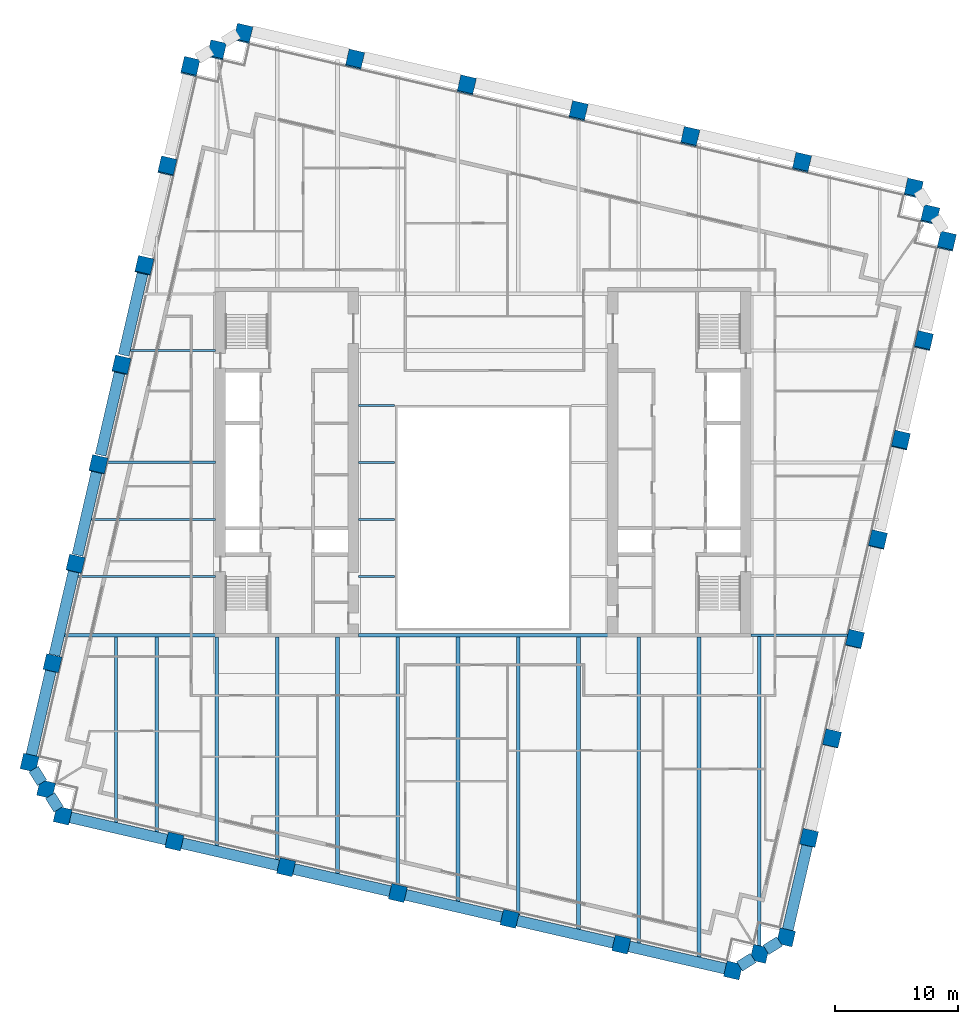
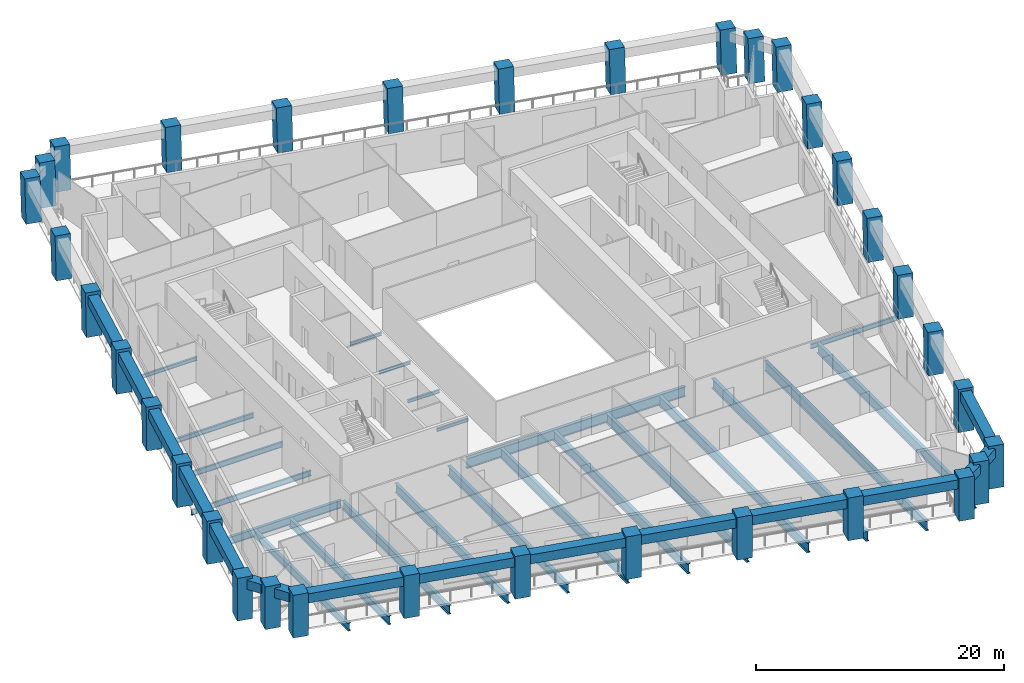
# One storey, part 1 of 12: 39 beams, 34 columns.
"""IFC4 building model written with IfcOpenShell, lengths in metres."""

from ifc_helpers import new_model, si_unit, direction, frame, origin, origin_2d, place, context, subcontext, project, spatial, rectangle, i_section, extrude, material, material_profile, profile_set, type_object, element, save


model = new_model("IFC4")

# Units and contexts
model_context = context("Model", 3, precision=1e-05, world=origin(), true_north=direction((0.0, 1.0)))
body_context = subcontext(model_context, "Body", "Model", "MODEL_VIEW")
ifc_project = project(units=[si_unit("LENGTHUNIT", "METRE"), si_unit("AREAUNIT", "SQUARE_METRE"), si_unit("VOLUMEUNIT", "CUBIC_METRE"), si_unit("PLANEANGLEUNIT", "RADIAN"), si_unit("MASSUNIT", "GRAM", prefix="KILO")], contexts=[model_context])

# Site, building, storey
site_placement = place(None, origin())
site = spatial("IfcSite", under=ifc_project, at=site_placement, CompositionType="ELEMENT")
building_placement = place(site_placement, origin())
building = spatial("IfcBuilding", under=site, at=building_placement, Name="Ogive Exchange Tower", CompositionType="ELEMENT")
storey_placement = place(building_placement, frame((0.0, 0.0, 139.199951171875)))
storey = spatial("IfcBuildingStorey", under=building, at=storey_placement, Name="L30", CompositionType="ELEMENT", Elevation=139.199951171875)

# Columns
ifc_material_1 = material(Name="Precast concrete C70/85 (limestone faced)", Category="masonry")
ifc_material_profile_1 = material_profile(ifc_material_1, rectangle(XDim=1.300048828125, YDim=1.300048828125, at=origin_2d()), Name="1300 x 1300")
ifc_profile_set_1 = profile_set([ifc_material_profile_1], Name="Precast concrete C70/85 (limestone faced)")
column_type = type_object("IfcColumnType", Name="Precast exoskeleton leg 1300 x 1300 C70/85", PredefinedType="COLUMN", material=ifc_profile_set_1)
for number, where, z_axis, x_axis, name in (
    (1, (-34.281982421875, -17.298095703125, 0.0), (0.0, 0.0, 1.0), (0.974370064785, -0.224951054344, 0.0), "Exoskeleton leg 1"),
    (2, (-25.171630859375, -19.401611328125, 0.0), (0.0, 0.0, 1.0), (0.974370064785, -0.224951054344, 0.0), "Exoskeleton leg 2"),
    (3, (-16.061279296875, -21.504638671875, 0.0), (0.0, 0.0, 1.0), (0.974370064785, -0.224951054344, 0.0), "Exoskeleton leg 3"),
    (4, (-6.950927734375, -23.60791015625, 0.0), (0.0, 0.0, 1.0), (0.974370064785, -0.224951054344, 0.0), "Exoskeleton leg 4"),
    (5, (2.159423828125, -25.711181640625, 0.0), (0.0, 0.0, 1.0), (0.974370064785, -0.224951054344, 0.0), "Exoskeleton leg 5"),
    (6, (11.269775390625, -27.814697265625, 0.0), (0.0, 0.0, 1.0), (0.974370064785, -0.224951054344, 0.0), "Exoskeleton leg 6"),
    (7, (20.380126953125, -29.91796875, 0.0), (0.0, 0.0, 1.0), (0.974370064785, -0.224951054344, 0.0), "Exoskeleton leg 7"),
    (8, (24.697509765625, -27.219970703125, 0.0), (0.0, 0.0, 1.0), (0.974370064785, -0.224951054344, 0.0), "Exoskeleton leg 8"),
):
    element("IfcColumn", number, at=place(storey_placement, frame(where, z_axis=z_axis, x_axis=x_axis)), inside=storey, type_object=column_type, Name=name, PredefinedType="COLUMN", context=body_context, shape_type="SweptSolid", body=[
        extrude(rectangle(XDim=1.300048828125, YDim=1.300048828125, at=origin_2d()), origin(), (0.0, 0.0, 1.0), 4.199951171875),
    ])
column_1_placement = place(storey_placement, frame((26.568115234375, -19.118896484375, 0.0), z_axis=(0.002848100182, 0.012671139583, 0.999915661717), x_axis=(-0.975657656042, 0.219299197918, 0.0)))
element("IfcColumn", 9, at=column_1_placement, inside=storey, type_object=column_type, Name="Exoskeleton leg 9", PredefinedType="COLUMN", context=body_context, shape_type="SweptSolid", body=[
    extrude(rectangle(XDim=1.300048828125, YDim=1.300048828125, at=origin_2d()), origin(), (0.0, 0.0, 1.0), 4.2001953125),
])
column_2_placement = place(storey_placement, frame((28.438232421875, -11.017578125, 0.0), z_axis=(0.005869091843, 0.025277771797, 0.999663237302), x_axis=(-0.974088391429, 0.226167649504, 0.0)))
element("IfcColumn", 10, at=column_2_placement, inside=storey, type_object=column_type, Name="Exoskeleton leg 10", PredefinedType="COLUMN", context=body_context, shape_type="SweptSolid", body=[
    extrude(rectangle(XDim=1.300048828125, YDim=1.300048828125, at=origin_2d()), origin(), (0.0, 0.0, 1.0), 4.201416015625),
])
column_3_placement = place(storey_placement, frame((30.30859375, -2.91650390625, 0.0), z_axis=(0.008770884695, 0.037929719907, 0.99924191662), x_axis=(-0.974290512438, 0.225295355862, 0.0)))
element("IfcColumn", 11, at=column_3_placement, inside=storey, type_object=column_type, Name="Exoskeleton leg 11", PredefinedType="COLUMN", context=body_context, shape_type="SweptSolid", body=[
    extrude(rectangle(XDim=1.300048828125, YDim=1.300048828125, at=origin_2d()), origin(), (0.0, 0.0, 1.0), 4.203125),
])
column_4_placement = place(storey_placement, frame((32.178955078125, 5.184814453125, 0.0), z_axis=(0.011668267153, 0.050562490995, 0.998652735462), x_axis=(-0.974391195695, 0.224859506699, 0.0)))
element("IfcColumn", 12, at=column_4_placement, inside=storey, type_object=column_type, Name="Exoskeleton leg 12", PredefinedType="COLUMN", context=body_context, shape_type="SweptSolid", body=[
    extrude(rectangle(XDim=1.300048828125, YDim=1.300048828125, at=origin_2d()), origin(), (0.0, 0.0, 1.0), 4.20556640625),
])
column_5_placement = place(storey_placement, frame((34.04931640625, 13.285888671875, 0.0), z_axis=(0.014559788571, 0.063169759976, 0.997896584813), x_axis=(-0.97445148511, 0.224598092528, 0.0)))
element("IfcColumn", 13, at=column_5_placement, inside=storey, type_object=column_type, Name="Exoskeleton leg 13", PredefinedType="COLUMN", context=body_context, shape_type="SweptSolid", body=[
    extrude(rectangle(XDim=1.300048828125, YDim=1.300048828125, at=origin_2d()), origin(), (0.0, 0.0, 1.0), 4.208740234375),
])
column_6_placement = place(storey_placement, frame((35.91943359375, 21.38720703125, 0.0), z_axis=(0.017502025619, 0.075687567741, 0.996977969259), x_axis=(-0.974290512438, 0.225295355862, 0.0)))
element("IfcColumn", 14, at=column_6_placement, inside=storey, type_object=column_type, Name="Exoskeleton leg 14", PredefinedType="COLUMN", context=body_context, shape_type="SweptSolid", body=[
    extrude(rectangle(XDim=1.300048828125, YDim=1.300048828125, at=origin_2d()), origin(), (0.0, 0.0, 1.0), 4.212646484375),
])
for number, where, z_axis, x_axis, name in (
    (15, (37.789794921875, 29.48828125, 0.0), (0.020377493232, 0.0882252832, 0.995892091129), (-0.97434807649, 0.225046274885, 0.0), "Exoskeleton leg 15"),
    (16, (35.091796875, 33.805908203125, 0.0), (0.020377493232, 0.0882252832, 0.995892091129), (-0.97434807649, 0.225046274885, 0.0), "Exoskeleton leg 16"),
    (17, (25.9814453125, 35.9091796875, 0.0), (0.020377493232, 0.0882252832, 0.995892091129), (-0.97434807649, 0.225046274885, 0.0), "Exoskeleton leg 17"),
    (18, (16.87109375, 38.012451171875, 0.0), (0.020377493232, 0.0882252832, 0.995892091129), (-0.97434807649, 0.225046274885, 0.0), "Exoskeleton leg 18"),
    (19, (7.7607421875, 40.11572265625, 0.0), (0.020377493232, 0.0882252832, 0.995892091129), (-0.97434807649, 0.225046274885, 0.0), "Exoskeleton leg 19"),
    (20, (-1.349609375, 42.218994140625, 0.0), (0.020377493232, 0.0882252832, 0.995892091129), (-0.97434807649, 0.225046274885, 0.0), "Exoskeleton leg 20"),
    (21, (-10.4599609375, 44.322509765625, 0.0), (0.020377597275, 0.088167842757, 0.995897175934), (-0.97431566651, 0.225186549318, 0.0), "Exoskeleton leg 21"),
    (22, (-19.5703125, 46.425537109375, 0.0), (0.020377493232, 0.0882252832, 0.995892091129), (-0.97434807649, 0.225046274885, 0.0), "Exoskeleton leg 22"),
    (23, (-23.8876953125, 43.727783203125, 0.0), (0.020319626563, 0.088225387128, 0.995893264282), (-0.974488096918, 0.224439187676, 0.0), "Exoskeleton leg 23"),
):
    element("IfcColumn", number, at=place(storey_placement, frame(where, z_axis=z_axis, x_axis=x_axis)), inside=storey, type_object=column_type, Name=name, PredefinedType="COLUMN", context=body_context, shape_type="SweptSolid", body=[
        extrude(rectangle(XDim=1.300048828125, YDim=1.300048828125, at=origin_2d()), origin(), (0.0, 0.0, 1.0), 4.21728515625),
    ])
column_7_placement = place(storey_placement, frame((-25.758056640625, 35.62646484375, 0.0), z_axis=(0.017444089556, 0.075687644385, 0.996978978829), x_axis=(-0.974454034257, 0.224587032398, 0.0)))
element("IfcColumn", 24, at=column_7_placement, inside=storey, type_object=column_type, Name="Exoskeleton leg 24", PredefinedType="COLUMN", context=body_context, shape_type="SweptSolid", body=[
    extrude(rectangle(XDim=1.300048828125, YDim=1.300048828125, at=origin_2d()), origin(), (0.0, 0.0, 1.0), 4.212646484375),
])
column_8_placement = place(storey_placement, frame((-27.62841796875, 27.525390625, 0.0), z_axis=(0.014559841898, 0.063111984005, 0.997900239743), x_axis=(-0.97440628778, 0.224794097641, 0.0)))
element("IfcColumn", 25, at=column_8_placement, inside=storey, type_object=column_type, Name="Exoskeleton leg 25", PredefinedType="COLUMN", context=body_context, shape_type="SweptSolid", body=[
    extrude(rectangle(XDim=1.300048828125, YDim=1.300048828125, at=origin_2d()), origin(), (0.0, 0.0, 1.0), 4.208740234375),
])
column_9_placement = place(storey_placement, frame((-29.498779296875, 19.42431640625, 0.0), z_axis=(0.011668301382, 0.050504588071, 0.998655665045), x_axis=(-0.974334539389, 0.225104876342, 0.0)))
element("IfcColumn", 26, at=column_9_placement, inside=storey, type_object=column_type, Name="Exoskeleton leg 26", PredefinedType="COLUMN", context=body_context, shape_type="SweptSolid", body=[
    extrude(rectangle(XDim=1.300048828125, YDim=1.300048828125, at=origin_2d()), origin(), (0.0, 0.0, 1.0), 4.20556640625),
])
column_10_placement = place(storey_placement, frame((-31.369140625, 11.322998046875, 0.0), z_axis=(0.008770884695, 0.037929719907, 0.99924191662), x_axis=(-0.974290512438, 0.225295355862, 0.0)))
element("IfcColumn", 27, at=column_10_placement, inside=storey, type_object=column_type, Name="Exoskeleton leg 27", PredefinedType="COLUMN", context=body_context, shape_type="SweptSolid", body=[
    extrude(rectangle(XDim=1.300048828125, YDim=1.300048828125, at=origin_2d()), origin(), (0.0, 0.0, 1.0), 4.203125),
])
column_11_placement = place(storey_placement, frame((-33.239501953125, 3.2216796875, 0.0), z_axis=(0.005869083212, 0.025335844359, 0.999661767226), x_axis=(-0.974202561131, 0.225675363932, 0.0)))
element("IfcColumn", 28, at=column_11_placement, inside=storey, type_object=column_type, Name="Exoskeleton leg 28", PredefinedType="COLUMN", context=body_context, shape_type="SweptSolid", body=[
    extrude(rectangle(XDim=1.300048828125, YDim=1.300048828125, at=origin_2d()), origin(), (0.0, 0.0, 1.0), 4.201416015625),
])
column_12_placement = place(storey_placement, frame((-35.109619140625, -4.87939453125, 0.0), z_axis=(0.002906226325, 0.012613022249, 0.99991622925), x_axis=(-0.974466825284, 0.224531526563, 0.0)))
element("IfcColumn", 29, at=column_12_placement, inside=storey, type_object=column_type, Name="Exoskeleton leg 29", PredefinedType="COLUMN", context=body_context, shape_type="SweptSolid", body=[
    extrude(rectangle(XDim=1.300048828125, YDim=1.300048828125, at=origin_2d()), origin(), (0.0, 0.0, 1.0), 4.2001953125),
])
for number, where, z_axis, x_axis, name in (
    (30, (-36.97998046875, -12.980712890625, 0.0), (0.0, 0.0, 1.0), (0.974370064785, -0.224951054344, 0.0), "Exoskeleton leg 30"),
    (31, (22.538818359375, -28.569091796875, 0.0), (0.0, 0.0, 1.0), (0.974370064785, -0.224951054344, 0.0), "Exoskeleton leg 31"),
):
    element("IfcColumn", number, at=place(storey_placement, frame(where, z_axis=z_axis, x_axis=x_axis)), inside=storey, type_object=column_type, Name=name, PredefinedType="COLUMN", context=body_context, shape_type="SweptSolid", body=[
        extrude(rectangle(XDim=1.300048828125, YDim=1.300048828125, at=origin_2d()), origin(), (0.0, 0.0, 1.0), 4.199951171875),
    ])
for number, where, z_axis, x_axis, name in (
    (32, (36.44091796875, 31.647216796875, 0.0), (0.020319730311, 0.088167946619, 0.995898349105), (-0.97445585692, 0.224579123952, 0.0), "Exoskeleton leg 32"),
    (33, (-21.72900390625, 45.07666015625, 0.0), (0.020319626563, 0.088225387128, 0.995893264282), (-0.974488096918, 0.224439187676, 0.0), "Exoskeleton leg 33"),
):
    element("IfcColumn", number, at=place(storey_placement, frame(where, z_axis=z_axis, x_axis=x_axis)), inside=storey, type_object=column_type, Name=name, PredefinedType="COLUMN", context=body_context, shape_type="SweptSolid", body=[
        extrude(rectangle(XDim=1.300048828125, YDim=1.300048828125, at=origin_2d()), origin(), (0.0, 0.0, 1.0), 4.21728515625),
    ])
column_13_placement = place(storey_placement, frame((-35.631103515625, -15.139404296875, 0.0), z_axis=(0.0, 0.0, 1.0), x_axis=(0.974370064785, -0.224951054344, 0.0)))
element("IfcColumn", 34, at=column_13_placement, inside=storey, type_object=column_type, Name="Exoskeleton leg 34", PredefinedType="COLUMN", context=body_context, shape_type="SweptSolid", body=[
    extrude(rectangle(XDim=1.300048828125, YDim=1.300048828125, at=origin_2d()), origin(), (0.0, 0.0, 1.0), 4.199951171875),
])

# Beams
ifc_material_2 = material(Name="Steel ASTM A992 Gr50", Category="steel")
ifc_material_profile_2 = material_profile(ifc_material_2, i_section(OverallWidth=0.300048828125, OverallDepth=0.97998046875, WebThickness=0.0166015625, FlangeThickness=0.026123046875, at=origin_2d()), Name="W1000x249")
ifc_profile_set_2 = profile_set([ifc_material_profile_2], Name="Steel ASTM A992 Gr50")
beam_type_1 = type_object("IfcBeamType", Name="Floor beam W1000x249", PredefinedType="JOIST", material=ifc_profile_set_2)
beam_1_placement = place(storey_placement, frame((-6.964111328125, -23.143310546875, -0.68994140625), z_axis=(0.0, 1.0, 0.0), x_axis=(-1.0, 0.0, 0.0)))
element("IfcBeam", 35, at=beam_1_placement, inside=storey, type_object=beam_type_1, Name="Floor beam", PredefinedType="JOIST", context=body_context, shape_type="SweptSolid", body=[
    extrude(i_section(OverallWidth=0.300048828125, OverallDepth=0.97998046875, WebThickness=0.0166015625, FlangeThickness=0.026123046875, at=origin_2d()), origin(), (0.0, 0.0, 1.0), 20.398193359375),
])
beam_2_placement = place(storey_placement, frame((-2.051513671875, -24.427490234375, -0.68994140625), z_axis=(0.0, 1.0, 0.0), x_axis=(-1.0, 0.0, 0.0)))
element("IfcBeam", 36, at=beam_2_placement, inside=storey, type_object=beam_type_1, Name="Floor beam", PredefinedType="JOIST", context=body_context, shape_type="SweptSolid", body=[
    extrude(i_section(OverallWidth=0.300048828125, OverallDepth=0.97998046875, WebThickness=0.0166015625, FlangeThickness=0.026123046875, at=origin_2d()), origin(), (0.0, 0.0, 1.0), 21.682373046875),
])
beam_3_placement = place(storey_placement, frame((2.861328125, -25.41162109375, -0.68994140625), z_axis=(0.0, 1.0, 0.0), x_axis=(-1.0, 0.0, 0.0)))
element("IfcBeam", 37, at=beam_3_placement, inside=storey, type_object=beam_type_1, Name="Floor beam", PredefinedType="JOIST", context=body_context, shape_type="SweptSolid", body=[
    extrude(i_section(OverallWidth=0.300048828125, OverallDepth=0.97998046875, WebThickness=0.0166015625, FlangeThickness=0.026123046875, at=origin_2d()), origin(), (0.0, 0.0, 1.0), 22.66650390625),
])
beam_4_placement = place(storey_placement, frame((7.77392578125, -26.69580078125, -0.68994140625), z_axis=(0.0, 1.0, 0.0), x_axis=(-1.0, 0.0, 0.0)))
element("IfcBeam", 38, at=beam_4_placement, inside=storey, type_object=beam_type_1, Name="Floor beam", PredefinedType="JOIST", context=body_context, shape_type="SweptSolid", body=[
    extrude(i_section(OverallWidth=0.300048828125, OverallDepth=0.97998046875, WebThickness=0.0166015625, FlangeThickness=0.026123046875, at=origin_2d()), origin(), (0.0, 0.0, 1.0), 23.95068359375),
])
beam_5_placement = place(storey_placement, frame((12.6865234375, -27.679931640625, -0.68994140625), z_axis=(0.0, 1.0, 0.0), x_axis=(-1.0, 0.0, 0.0)))
element("IfcBeam", 39, at=beam_5_placement, inside=storey, type_object=beam_type_1, Name="Floor beam", PredefinedType="JOIST", context=body_context, shape_type="SweptSolid", body=[
    extrude(i_section(OverallWidth=0.300048828125, OverallDepth=0.97998046875, WebThickness=0.0166015625, FlangeThickness=0.026123046875, at=origin_2d()), origin(), (0.0, 0.0, 1.0), 24.929931640625),
])
beam_6_placement = place(storey_placement, frame((17.599365234375, -28.814208984375, -0.68994140625), z_axis=(0.0, 1.0, 0.0), x_axis=(-1.0, 0.0, 0.0)))
element("IfcBeam", 40, at=beam_6_placement, inside=storey, type_object=beam_type_1, Name="Floor beam", PredefinedType="JOIST", context=body_context, shape_type="SweptSolid", body=[
    extrude(i_section(OverallWidth=0.300048828125, OverallDepth=0.97998046875, WebThickness=0.0166015625, FlangeThickness=0.026123046875, at=origin_2d()), origin(), (0.0, 0.0, 1.0), 26.064208984375),
])
beam_7_placement = place(storey_placement, frame((22.511962890625, -28.045654296875, -0.68994140625), z_axis=(0.0, 1.0, 0.0), x_axis=(-1.0, 0.0, 0.0)))
element("IfcBeam", 41, at=beam_7_placement, inside=storey, type_object=beam_type_1, Name="Floor beam", PredefinedType="JOIST", context=body_context, shape_type="SweptSolid", body=[
    extrude(i_section(OverallWidth=0.300048828125, OverallDepth=0.97998046875, WebThickness=0.0166015625, FlangeThickness=0.026123046875, at=origin_2d()), origin(), (0.0, 0.0, 1.0), 25.355224609375),
])
ifc_material_profile_3 = material_profile(ifc_material_2, i_section(OverallWidth=0.1650390625, OverallDepth=0.31005859375, WebThickness=0.005859375, FlangeThickness=0.009765625, at=origin_2d()), Name="W310x38.7")
ifc_profile_set_3 = profile_set([ifc_material_profile_3], Name="Steel ASTM A992 Gr50")
beam_type_2 = type_object("IfcBeamType", Name="Floor beam W310x38.7", PredefinedType="JOIST", material=ifc_profile_set_3)
for number, where, z_axis, x_axis, name in (
    (42, (-10.169921875, 2.208740234375, -0.35498046875), (1.0, 0.0, 0.0), (0.0, 1.0, 0.0), "Floor beam"),
    (43, (-10.169921875, 6.857421875, -0.35498046875), (1.0, 0.0, 0.0), (0.0, 1.0, 0.0), "Floor beam"),
    (44, (-10.169921875, 11.50634765625, -0.35498046875), (1.0, 0.0, 0.0), (0.0, 1.0, 0.0), "Floor beam"),
):
    element("IfcBeam", number, at=place(storey_placement, frame(where, z_axis=z_axis, x_axis=x_axis)), inside=storey, type_object=beam_type_2, Name=name, PredefinedType="JOIST", context=body_context, shape_type="SweptSolid", body=[
        extrude(i_section(OverallWidth=0.1650390625, OverallDepth=0.31005859375, WebThickness=0.005859375, FlangeThickness=0.009765625, at=origin_2d()), origin(), (0.0, 0.0, 1.0), 2.949951171875),
    ])
ifc_material_profile_4 = material_profile(ifc_material_2, i_section(OverallWidth=0.1708984375, OverallDepth=0.35595703125, WebThickness=0.00732421875, FlangeThickness=0.01171875, at=origin_2d()), Name="W360x51")
ifc_profile_set_4 = profile_set([ifc_material_profile_4], Name="Steel ASTM A992 Gr50")
beam_type_3 = type_object("IfcBeamType", Name="Floor beam W360x51", PredefinedType="JOIST", material=ifc_profile_set_4)
beam_8_placement = place(storey_placement, frame((-28.76025390625, 20.62255859375, -0.3779296875), z_axis=(1.0, 0.0, 0.0), x_axis=(0.0, 1.0, 0.0)))
element("IfcBeam", 45, at=beam_8_placement, inside=storey, type_object=beam_type_3, Name="Floor beam", PredefinedType="JOIST", context=body_context, shape_type="SweptSolid", body=[
    extrude(i_section(OverallWidth=0.1708984375, OverallDepth=0.35595703125, WebThickness=0.00732421875, FlangeThickness=0.01171875, at=origin_2d()), origin(), (0.0, 0.0, 1.0), 6.93017578125),
])
ifc_material_profile_5 = material_profile(ifc_material_2, i_section(OverallWidth=0.19091796875, OverallDepth=0.45703125, WebThickness=0.009033203125, FlangeThickness=0.014404296875, at=origin_2d()), Name="W460x74")
ifc_profile_set_5 = profile_set([ifc_material_profile_5], Name="Steel ASTM A992 Gr50")
beam_type_4 = type_object("IfcBeamType", Name="Floor beam W460x74", PredefinedType="JOIST", material=ifc_profile_set_5)
beam_9_placement = place(storey_placement, frame((-30.864990234375, 11.50634765625, -0.428466796875), z_axis=(1.0, 0.0, 0.0), x_axis=(0.0, 1.0, 0.0)))
element("IfcBeam", 46, at=beam_9_placement, inside=storey, type_object=beam_type_4, Name="Floor beam", PredefinedType="JOIST", context=body_context, shape_type="SweptSolid", body=[
    extrude(i_section(OverallWidth=0.19091796875, OverallDepth=0.45703125, WebThickness=0.009033203125, FlangeThickness=0.014404296875, at=origin_2d()), origin(), (0.0, 0.0, 1.0), 9.034912109375),
])
ifc_material_profile_6 = material_profile(ifc_material_2, i_section(OverallWidth=0.1669921875, OverallDepth=0.535888671875, WebThickness=0.01025390625, FlangeThickness=0.0166015625, at=origin_2d()), Name="W530x85")
ifc_profile_set_6 = profile_set([ifc_material_profile_6], Name="Steel ASTM A992 Gr50")
beam_type_5 = type_object("IfcBeamType", Name="Floor beam W530x85", PredefinedType="JOIST", material=ifc_profile_set_6)
beam_10_placement = place(storey_placement, frame((-33.011474609375, 2.208740234375, -0.468017578125), z_axis=(1.0, 0.0, 0.0), x_axis=(0.0, 1.0, 0.0)))
element("IfcBeam", 47, at=beam_10_placement, inside=storey, type_object=beam_type_5, Name="Floor beam", PredefinedType="JOIST", context=body_context, shape_type="SweptSolid", body=[
    extrude(i_section(OverallWidth=0.1669921875, OverallDepth=0.535888671875, WebThickness=0.01025390625, FlangeThickness=0.0166015625, at=origin_2d()), origin(), (0.0, 0.0, 1.0), 11.181396484375),
])
beam_11_placement = place(storey_placement, frame((-31.938232421875, 6.857421875, -0.468017578125), z_axis=(1.0, 0.0, 0.0), x_axis=(0.0, 1.0, 0.0)))
element("IfcBeam", 48, at=beam_11_placement, inside=storey, type_object=beam_type_5, Name="Floor beam", PredefinedType="JOIST", context=body_context, shape_type="SweptSolid", body=[
    extrude(i_section(OverallWidth=0.1669921875, OverallDepth=0.535888671875, WebThickness=0.01025390625, FlangeThickness=0.0166015625, at=origin_2d()), origin(), (0.0, 0.0, 1.0), 10.108154296875),
])
ifc_material_profile_7 = material_profile(ifc_material_2, i_section(OverallWidth=0.26708984375, OverallDepth=0.75390625, WebThickness=0.01318359375, FlangeThickness=0.01708984375, at=origin_2d()), Name="W760x147")
ifc_profile_set_7 = profile_set([ifc_material_profile_7], Name="Steel ASTM A992 Gr50")
beam_type_6 = type_object("IfcBeamType", Name="Floor beam W760x147", PredefinedType="JOIST", material=ifc_profile_set_7)
beam_12_placement = place(storey_placement, frame((-29.927490234375, -17.99169921875, -0.576904296875), z_axis=(0.0, 1.0, 0.0), x_axis=(-1.0, 0.0, 0.0)))
element("IfcBeam", 49, at=beam_12_placement, inside=storey, type_object=beam_type_6, Name="Floor beam", PredefinedType="JOIST", context=body_context, shape_type="SweptSolid", body=[
    extrude(i_section(OverallWidth=0.26708984375, OverallDepth=0.75390625, WebThickness=0.01318359375, FlangeThickness=0.01708984375, at=origin_2d()), origin(), (0.0, 0.0, 1.0), 15.26318359375),
])
ifc_material_profile_8 = material_profile(ifc_material_2, i_section(OverallWidth=0.2919921875, OverallDepth=0.8359375, WebThickness=0.013916015625, FlangeThickness=0.018798828125, at=origin_2d()), Name="W840x176")
ifc_profile_set_8 = profile_set([ifc_material_profile_8], Name="Steel ASTM A992 Gr50")
beam_type_7 = type_object("IfcBeamType", Name="Floor beam W840x176", PredefinedType="JOIST", material=ifc_profile_set_8)
beam_13_placement = place(storey_placement, frame((-26.614990234375, -18.75634765625, -0.617919921875), z_axis=(0.0, 1.0, 0.0), x_axis=(-1.0, 0.0, 0.0)))
element("IfcBeam", 50, at=beam_13_placement, inside=storey, type_object=beam_type_7, Name="Floor beam", PredefinedType="JOIST", context=body_context, shape_type="SweptSolid", body=[
    extrude(i_section(OverallWidth=0.2919921875, OverallDepth=0.8359375, WebThickness=0.013916015625, FlangeThickness=0.018798828125, at=origin_2d()), origin(), (0.0, 0.0, 1.0), 16.02783203125),
])
beam_14_placement = place(storey_placement, frame((-21.7021484375, -19.890625, -0.617919921875), z_axis=(0.0, 1.0, 0.0), x_axis=(-1.0, 0.0, 0.0)))
element("IfcBeam", 51, at=beam_14_placement, inside=storey, type_object=beam_type_7, Name="Floor beam", PredefinedType="JOIST", context=body_context, shape_type="SweptSolid", body=[
    extrude(i_section(OverallWidth=0.2919921875, OverallDepth=0.8359375, WebThickness=0.013916015625, FlangeThickness=0.018798828125, at=origin_2d()), origin(), (0.0, 0.0, 1.0), 17.140625),
])
ifc_material_profile_9 = material_profile(ifc_material_2, i_section(OverallWidth=0.304931640625, OverallDepth=0.904052734375, WebThickness=0.01513671875, FlangeThickness=0.02001953125, at=origin_2d()), Name="W920x201")
ifc_profile_set_9 = profile_set([ifc_material_profile_9], Name="Steel ASTM A992 Gr50")
beam_type_8 = type_object("IfcBeamType", Name="Floor beam W920x201", PredefinedType="JOIST", material=ifc_profile_set_9)
beam_15_placement = place(storey_placement, frame((-16.78955078125, -20.874755859375, -0.65185546875), z_axis=(0.0, 1.0, 0.0), x_axis=(-1.0, 0.0, 0.0)))
element("IfcBeam", 52, at=beam_15_placement, inside=storey, type_object=beam_type_8, Name="Floor beam", PredefinedType="JOIST", context=body_context, shape_type="SweptSolid", body=[
    extrude(i_section(OverallWidth=0.304931640625, OverallDepth=0.904052734375, WebThickness=0.01513671875, FlangeThickness=0.02001953125, at=origin_2d()), origin(), (0.0, 0.0, 1.0), 18.124755859375),
])
ifc_material_profile_10 = material_profile(ifc_material_2, i_section(OverallWidth=0.304931640625, OverallDepth=0.9189453125, WebThickness=0.017333984375, FlangeThickness=0.02783203125, at=origin_2d()), Name="W920x253")
ifc_profile_set_10 = profile_set([ifc_material_profile_10], Name="Steel ASTM A992 Gr50")
beam_type_9 = type_object("IfcBeamType", Name="Floor beam W920x253", PredefinedType="JOIST", material=ifc_profile_set_10)
beam_16_placement = place(storey_placement, frame((-11.876708984375, -22.009033203125, -0.659423828125), z_axis=(0.0, 1.0, 0.0), x_axis=(-1.0, 0.0, 0.0)))
element("IfcBeam", 53, at=beam_16_placement, inside=storey, type_object=beam_type_9, Name="Floor beam", PredefinedType="JOIST", context=body_context, shape_type="SweptSolid", body=[
    extrude(i_section(OverallWidth=0.304931640625, OverallDepth=0.9189453125, WebThickness=0.017333984375, FlangeThickness=0.02783203125, at=origin_2d()), origin(), (0.0, 0.0, 1.0), 19.259033203125),
])
ifc_material_profile_11 = material_profile(ifc_material_2, i_section(OverallWidth=0.300048828125, OverallDepth=0.97998046875, WebThickness=0.0166015625, FlangeThickness=0.026123046875, at=origin_2d()), Name="W1000x249")
ifc_profile_set_11 = profile_set([ifc_material_profile_11], Name="Steel ASTM A992 Gr50")
beam_type_10 = type_object("IfcBeamType", Name="Girder W1000x249", PredefinedType="BEAM", material=ifc_profile_set_11)
beam_17_placement = place(storey_placement, frame((-10.169921875, -2.594970703125, -0.68994140625), z_axis=(1.0, 0.0, 0.0), x_axis=(0.0, 1.0, 0.0)))
element("IfcBeam", 54, at=beam_17_placement, inside=storey, type_object=beam_type_10, Name="Header girder", PredefinedType="BEAM", context=body_context, shape_type="SweptSolid", body=[
    extrude(i_section(OverallWidth=0.300048828125, OverallDepth=0.97998046875, WebThickness=0.0166015625, FlangeThickness=0.026123046875, at=origin_2d()), origin(), (0.0, 0.0, 1.0), 20.33984375),
])
ifc_material_profile_12 = material_profile(ifc_material_2, i_section(OverallWidth=0.1650390625, OverallDepth=0.31005859375, WebThickness=0.005859375, FlangeThickness=0.009765625, at=origin_2d()), Name="W310x38.7")
ifc_profile_set_12 = profile_set([ifc_material_profile_12], Name="Steel ASTM A992 Gr50")
beam_type_11 = type_object("IfcBeamType", Name="Girder W310x38.7", PredefinedType="BEAM", material=ifc_profile_set_12)
beam_18_placement = place(storey_placement, frame((-10.169921875, 16.155029296875, -0.35498046875), z_axis=(1.0, 0.0, 0.0), x_axis=(0.0, 1.0, 0.0)))
element("IfcBeam", 55, at=beam_18_placement, inside=storey, type_object=beam_type_11, Name="Trimmer girder", PredefinedType="BEAM", context=body_context, shape_type="SweptSolid", body=[
    extrude(i_section(OverallWidth=0.1650390625, OverallDepth=0.31005859375, WebThickness=0.005859375, FlangeThickness=0.009765625, at=origin_2d()), origin(), (0.0, 0.0, 1.0), 2.949951171875),
])
ifc_material_profile_13 = material_profile(ifc_material_2, i_section(OverallWidth=0.19091796875, OverallDepth=0.45703125, WebThickness=0.009033203125, FlangeThickness=0.014404296875, at=origin_2d()), Name="W460x74")
ifc_profile_set_13 = profile_set([ifc_material_profile_13], Name="Steel ASTM A992 Gr50")
beam_type_12 = type_object("IfcBeamType", Name="Girder W460x74", PredefinedType="BEAM", material=ifc_profile_set_13)
beam_19_placement = place(storey_placement, frame((21.830078125, -2.594970703125, -0.428466796875), z_axis=(1.0, 0.0, 0.0), x_axis=(0.0, 1.0, 0.0)))
element("IfcBeam", 56, at=beam_19_placement, inside=storey, type_object=beam_type_12, Name="Header girder", PredefinedType="BEAM", context=body_context, shape_type="SweptSolid", body=[
    extrude(i_section(OverallWidth=0.19091796875, OverallDepth=0.45703125, WebThickness=0.009033203125, FlangeThickness=0.014404296875, at=origin_2d()), origin(), (0.0, 0.0, 1.0), 8.0908203125),
])
ifc_material_profile_14 = material_profile(ifc_material_2, i_section(OverallWidth=0.26708984375, OverallDepth=0.75390625, WebThickness=0.01318359375, FlangeThickness=0.01708984375, at=origin_2d()), Name="W760x147")
ifc_profile_set_14 = profile_set([ifc_material_profile_14], Name="Steel ASTM A992 Gr50")
beam_type_13 = type_object("IfcBeamType", Name="Girder W760x147", PredefinedType="BEAM", material=ifc_profile_set_14)
beam_20_placement = place(storey_placement, frame((-34.2705078125, -2.594970703125, -0.576904296875), z_axis=(1.0, 0.0, 0.0), x_axis=(0.0, 1.0, 0.0)))
element("IfcBeam", 57, at=beam_20_placement, inside=storey, type_object=beam_type_13, Name="Header girder", PredefinedType="BEAM", context=body_context, shape_type="SweptSolid", body=[
    extrude(i_section(OverallWidth=0.26708984375, OverallDepth=0.75390625, WebThickness=0.01318359375, FlangeThickness=0.01708984375, at=origin_2d()), origin(), (0.0, 0.0, 1.0), 12.4404296875),
])
ifc_material_profile_15 = material_profile(ifc_material_1, rectangle(XDim=0.89990234375, YDim=0.89990234375, at=origin_2d()), Name="900 x 900")
ifc_profile_set_15 = profile_set([ifc_material_profile_15], Name="Precast concrete C70/85 (limestone faced)")
beam_type_14 = type_object("IfcBeamType", Name="Precast spandrel 900 x 900 C70/85", PredefinedType="SPANDREL", material=ifc_profile_set_15)
for number, where, z_axis, x_axis, name in (
    (58, (-33.668212890625, -17.43994140625, 3.5), (0.974370337884, -0.224949871421, 0.0), (0.224949871421, 0.974370337884, 0.0), "Spandrel 1"),
    (59, (-24.557861328125, -19.543212890625, 3.5), (0.974370337884, -0.224949871421, 0.0), (0.224949871421, 0.974370337884, 0.0), "Spandrel 2"),
):
    element("IfcBeam", number, at=place(storey_placement, frame(where, z_axis=z_axis, x_axis=x_axis)), inside=storey, type_object=beam_type_14, Name=name, PredefinedType="SPANDREL", context=body_context, shape_type="SweptSolid", body=[
        extrude(rectangle(XDim=0.89990234375, YDim=0.89990234375, at=origin_2d()), origin(), (0.0, 0.0, 1.0), 8.08984375),
    ])
beam_21_placement = place(storey_placement, frame((-15.447509765625, -21.646484375, 3.5), z_axis=(0.974371864918, -0.224943256972, 0.0), x_axis=(0.224943256972, 0.974371864918, 0.0)))
element("IfcBeam", 60, at=beam_21_placement, inside=storey, type_object=beam_type_14, Name="Spandrel 3", PredefinedType="SPANDREL", context=body_context, shape_type="SweptSolid", body=[
    extrude(rectangle(XDim=0.89990234375, YDim=0.89990234375, at=origin_2d()), origin(), (0.0, 0.0, 1.0), 8.090087890625),
])
beam_22_placement = place(storey_placement, frame((-6.337158203125, -23.749755859375, 3.5), z_axis=(0.974370337884, -0.224949871421, 0.0), x_axis=(0.224949871421, 0.974370337884, 0.0)))
element("IfcBeam", 61, at=beam_22_placement, inside=storey, type_object=beam_type_14, Name="Spandrel 4", PredefinedType="SPANDREL", context=body_context, shape_type="SweptSolid", body=[
    extrude(rectangle(XDim=0.89990234375, YDim=0.89990234375, at=origin_2d()), origin(), (0.0, 0.0, 1.0), 8.08984375),
])
beam_23_placement = place(storey_placement, frame((2.773193359375, -25.85302734375, 3.5), z_axis=(0.974371864918, -0.224943256972, 0.0), x_axis=(0.224943256972, 0.974371864918, 0.0)))
element("IfcBeam", 62, at=beam_23_placement, inside=storey, type_object=beam_type_14, Name="Spandrel 5", PredefinedType="SPANDREL", context=body_context, shape_type="SweptSolid", body=[
    extrude(rectangle(XDim=0.89990234375, YDim=0.89990234375, at=origin_2d()), origin(), (0.0, 0.0, 1.0), 8.090087890625),
])
beam_24_placement = place(storey_placement, frame((11.883544921875, -27.956298828125, 3.5), z_axis=(0.974370337884, -0.224949871421, 0.0), x_axis=(0.224949871421, 0.974370337884, 0.0)))
element("IfcBeam", 63, at=beam_24_placement, inside=storey, type_object=beam_type_14, Name="Spandrel 6", PredefinedType="SPANDREL", context=body_context, shape_type="SweptSolid", body=[
    extrude(rectangle(XDim=0.89990234375, YDim=0.89990234375, at=origin_2d()), origin(), (0.0, 0.0, 1.0), 8.08984375),
])
for number, where, z_axis, x_axis, name in (
    (64, (20.9052734375, -29.58984375, 3.5), (0.848040277303, 0.529931776808, 0.0), (-0.529931776808, 0.848040277303, 0.0), "Spandrel 7"),
    (65, (23.06396484375, -28.24072265625, 3.5), (0.848092721491, 0.529847842077, 0.0), (-0.529847842077, 0.848092721491, 0.0), "Spandrel 8"),
):
    element("IfcBeam", number, at=place(storey_placement, frame(where, z_axis=z_axis, x_axis=x_axis)), inside=storey, type_object=beam_type_14, Name=name, PredefinedType="SPANDREL", context=body_context, shape_type="SweptSolid", body=[
        extrude(rectangle(XDim=0.89990234375, YDim=0.89990234375, at=origin_2d()), origin(), (0.0, 0.0, 1.0), 1.30712890625),
    ])
for number, where, z_axis, x_axis, name in (
    (66, (24.83935546875, -26.606201171875, 3.5), (0.224944783816, 0.97437151243, 0.0), (-0.97437151243, 0.224944783816, 0.0), "Spandrel 9"),
    (67, (-27.708740234375, 27.17724609375, 3.5), (-0.224944783816, -0.97437151243, 0.0), (0.97437151243, -0.224944783816, 0.0), "Spandrel 28"),
    (68, (-29.59130859375, 19.02294921875, 3.5), (-0.224944783816, -0.97437151243, 0.0), (0.97437151243, -0.224944783816, 0.0), "Spandrel 29"),
    (69, (-31.47412109375, 10.86865234375, 3.5), (-0.224912178469, -0.974379039171, 0.0), (0.974379039171, -0.224912178469, 0.0), "Spandrel 30"),
    (70, (-33.3564453125, 2.714111328125, 3.5), (-0.224984916855, -0.974362246389, 0.0), (0.974362246389, -0.224984916855, 0.0), "Spandrel 31"),
    (71, (-35.239013671875, -5.440185546875, 3.5), (-0.224984916855, -0.974362246389, 0.0), (0.974362246389, -0.224984916855, 0.0), "Spandrel 32"),
):
    element("IfcBeam", number, at=place(storey_placement, frame(where, z_axis=z_axis, x_axis=x_axis)), inside=storey, type_object=beam_type_14, Name=name, PredefinedType="SPANDREL", context=body_context, shape_type="SweptSolid", body=[
        extrude(rectangle(XDim=0.89990234375, YDim=0.89990234375, at=origin_2d()), origin(), (0.0, 0.0, 1.0), 7.10888671875),
    ])
for number, where, z_axis, x_axis, name in (
    (72, (-36.65185546875, -13.505615234375, 3.5), (0.529847842077, -0.848092721491, 0.0), (0.848092721491, 0.529847842077, 0.0), "Spandrel 33"),
    (73, (-35.302978515625, -15.66455078125, 3.5), (0.530066093226, -0.847956329543, 0.0), (0.847956329543, 0.530066093226, 0.0), "Spandrel 34"),
):
    element("IfcBeam", number, at=place(storey_placement, frame(where, z_axis=z_axis, x_axis=x_axis)), inside=storey, type_object=beam_type_14, Name=name, PredefinedType="SPANDREL", context=body_context, shape_type="SweptSolid", body=[
        extrude(rectangle(XDim=0.89990234375, YDim=0.89990234375, at=origin_2d()), origin(), (0.0, 0.0, 1.0), 1.30712890625),
    ])

save(model, "model.ifc")
